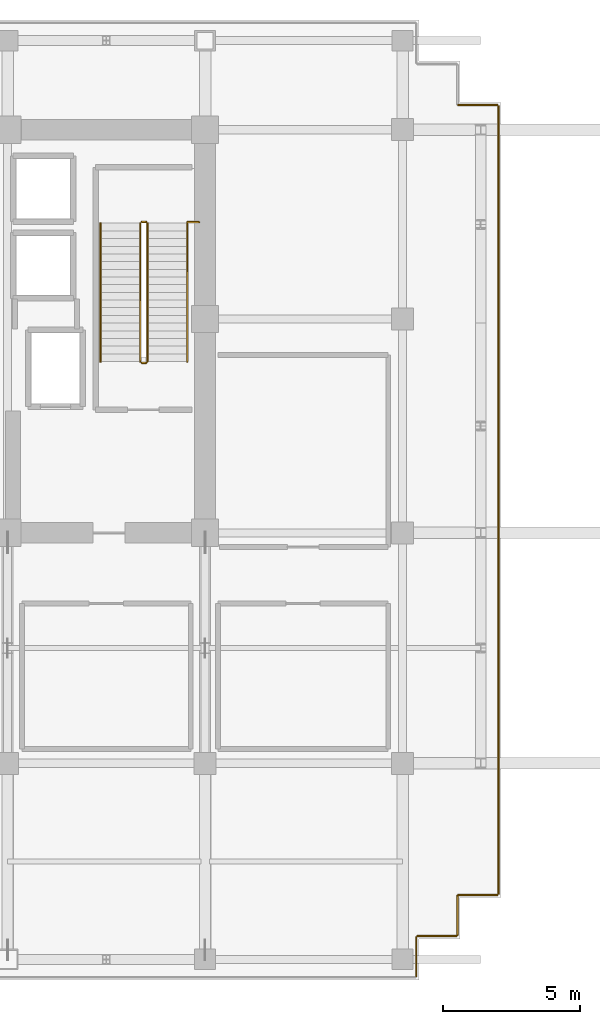
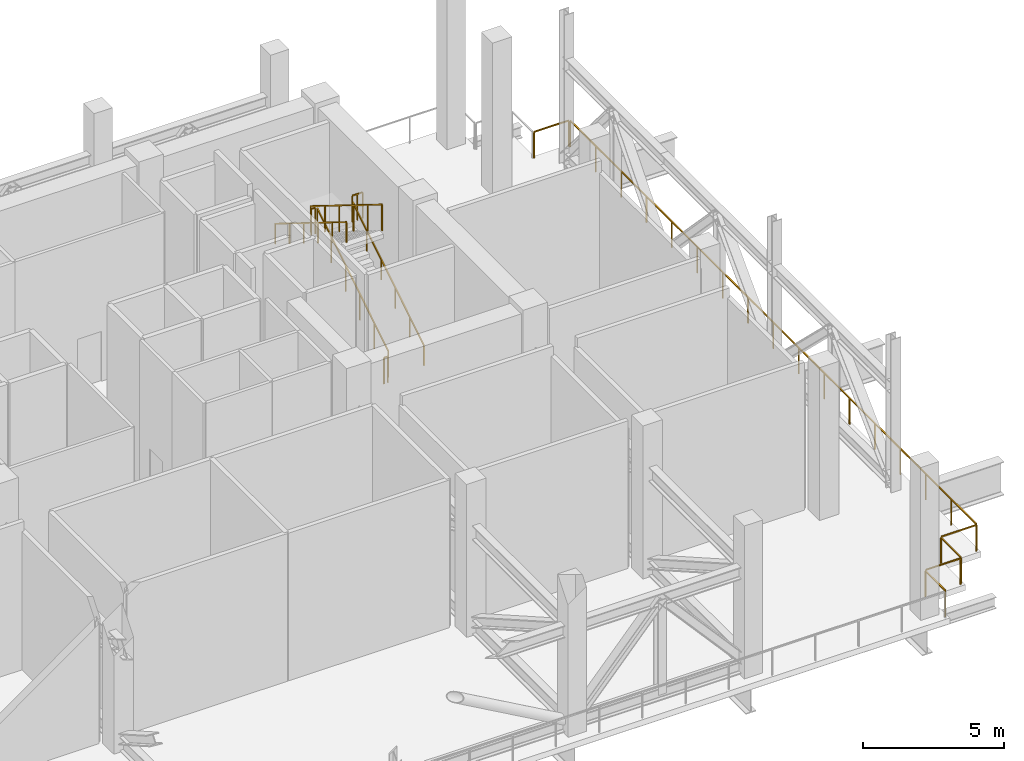
# One storey, part 11 of 13: 13 railings.
"""IFC4 building model written with IfcOpenShell, lengths in metres."""

from ifc_helpers import new_model, si_unit, direction, frame, origin, origin_2d, place, context, subcontext, project, spatial, rectangle, extrude, material, type_object, element, save


model = new_model("IFC4")

# Units and contexts
model_context = context("Model", 3, precision=1e-05, world=origin(), true_north=direction((0.0, 1.0)))
body_context = subcontext(model_context, "Body", "Model", "MODEL_VIEW")
ifc_project = project(units=[si_unit("LENGTHUNIT", "METRE"), si_unit("AREAUNIT", "SQUARE_METRE"), si_unit("VOLUMEUNIT", "CUBIC_METRE"), si_unit("PLANEANGLEUNIT", "RADIAN"), si_unit("MASSUNIT", "GRAM", prefix="KILO")], contexts=[model_context])

# Site, building, storey
site_placement = place(None, origin())
site = spatial("IfcSite", under=ifc_project, at=site_placement, CompositionType="ELEMENT")
building_placement = place(site_placement, origin())
building = spatial("IfcBuilding", under=site, at=building_placement, Name="Zarnakvel Exchange Tower", CompositionType="ELEMENT")
storey_placement = place(building_placement, frame((0.0, 0.0, 139.60009765625)))
storey = spatial("IfcBuildingStorey", under=building, at=storey_placement, Name="L39", CompositionType="ELEMENT", Elevation=139.60009765625)

# Railings
ifc_material_1 = material(Name="Architectural Bronze Anodised Aluminium", Category="aluminium")
railing_type_1 = type_object("IfcRailingType", Name="GR-01", PredefinedType="GUARDRAIL", material=ifc_material_1)
railing_1_placement = place(storey_placement, frame((23.639892578125, 14.39990234375, 0.0)))
element("IfcRailing", 1, at=railing_1_placement, inside=storey, type_object=railing_type_1, Name="L39 Perimeter Guardrail GR-L39-PERIM-10 (GR-01)", PredefinedType="GUARDRAIL", context=body_context, shape_type="SweptSolid", body=[
    extrude(rectangle(XDim=0.048095703125, YDim=0.048095703125, at=origin_2d()), frame((0.0, 0.0, 1.1259765625), z_axis=(1.0, 0.0, 0.0), x_axis=(0.0, 1.0, 0.0)), (0.0, 0.0, 1.0), 1.420166015625),
    extrude(rectangle(XDim=0.0419921875, YDim=0.0419921875, at=origin_2d()), origin(), (0.0, 0.0, 1.0), 1.101806640625),
    extrude(rectangle(XDim=0.0419921875, YDim=0.0419921875, at=origin_2d()), frame((1.420166015625, 0.0, 0.0)), (0.0, 0.0, 1.0), 1.101806640625),
])
railing_2_placement = place(storey_placement, frame((25.10009765625, 14.360107421875, 0.0)))
element("IfcRailing", 2, at=railing_2_placement, inside=storey, type_object=railing_type_1, Name="L39 Perimeter Guardrail GR-L39-PERIM-11 (GR-01)", PredefinedType="GUARDRAIL", context=body_context, shape_type="SweptSolid", body=[
    extrude(rectangle(XDim=0.048095703125, YDim=0.048095703125, at=origin_2d()), frame((0.0, 0.0, 1.1259765625), z_axis=(0.0, -1.0, 0.0), x_axis=(1.0, 0.0, 0.0)), (0.0, 0.0, 1.0), 28.72021484375),
    extrude(rectangle(XDim=0.0419921875, YDim=0.0419921875, at=origin_2d()), origin(), (0.0, 0.0, 1.0), 1.101806640625),
    extrude(rectangle(XDim=0.0419921875, YDim=0.0419921875, at=origin_2d()), frame((0.0, -1.794921875, 0.0)), (0.0, 0.0, 1.0), 1.101806640625),
    extrude(rectangle(XDim=0.0419921875, YDim=0.0419921875, at=origin_2d()), frame((0.0, -3.590087890625, 0.0)), (0.0, 0.0, 1.0), 1.101806640625),
    extrude(rectangle(XDim=0.0419921875, YDim=0.0419921875, at=origin_2d()), frame((0.0, -5.385009765625, 0.0)), (0.0, 0.0, 1.0), 1.101806640625),
    extrude(rectangle(XDim=0.0419921875, YDim=0.0419921875, at=origin_2d()), frame((0.0, -7.18017578125, 0.0)), (0.0, 0.0, 1.0), 1.101806640625),
    extrude(rectangle(XDim=0.0419921875, YDim=0.0419921875, at=origin_2d()), frame((0.0, -8.97509765625, 0.0)), (0.0, 0.0, 1.0), 1.101806640625),
    extrude(rectangle(XDim=0.0419921875, YDim=0.0419921875, at=origin_2d()), frame((0.0, -10.77001953125, 0.0)), (0.0, 0.0, 1.0), 1.101806640625),
    extrude(rectangle(XDim=0.0419921875, YDim=0.0419921875, at=origin_2d()), frame((0.0, -12.565185546875, 0.0)), (0.0, 0.0, 1.0), 1.101806640625),
    extrude(rectangle(XDim=0.0419921875, YDim=0.0419921875, at=origin_2d()), frame((0.0, -14.360107421875, 0.0)), (0.0, 0.0, 1.0), 1.101806640625),
    extrude(rectangle(XDim=0.0419921875, YDim=0.0419921875, at=origin_2d()), frame((0.0, -16.155029296875, 0.0)), (0.0, 0.0, 1.0), 1.101806640625),
    extrude(rectangle(XDim=0.0419921875, YDim=0.0419921875, at=origin_2d()), frame((0.0, -17.9501953125, 0.0)), (0.0, 0.0, 1.0), 1.101806640625),
    extrude(rectangle(XDim=0.0419921875, YDim=0.0419921875, at=origin_2d()), frame((0.0, -19.7451171875, 0.0)), (0.0, 0.0, 1.0), 1.101806640625),
    extrude(rectangle(XDim=0.0419921875, YDim=0.0419921875, at=origin_2d()), frame((0.0, -21.5400390625, 0.0)), (0.0, 0.0, 1.0), 1.101806640625),
    extrude(rectangle(XDim=0.0419921875, YDim=0.0419921875, at=origin_2d()), frame((0.0, -23.335205078125, 0.0)), (0.0, 0.0, 1.0), 1.101806640625),
    extrude(rectangle(XDim=0.0419921875, YDim=0.0419921875, at=origin_2d()), frame((0.0, -25.130126953125, 0.0)), (0.0, 0.0, 1.0), 1.101806640625),
    extrude(rectangle(XDim=0.0419921875, YDim=0.0419921875, at=origin_2d()), frame((0.0, -26.92529296875, 0.0)), (0.0, 0.0, 1.0), 1.101806640625),
    extrude(rectangle(XDim=0.0419921875, YDim=0.0419921875, at=origin_2d()), frame((0.0, -28.72021484375, 0.0)), (0.0, 0.0, 1.0), 1.101806640625),
])
railing_3_placement = place(storey_placement, frame((25.06005859375, -14.39990234375, 0.0)))
element("IfcRailing", 3, at=railing_3_placement, inside=storey, type_object=railing_type_1, Name="L39 Perimeter Guardrail GR-L39-PERIM-12 (GR-01)", PredefinedType="GUARDRAIL", context=body_context, shape_type="SweptSolid", body=[
    extrude(rectangle(XDim=0.048095703125, YDim=0.048095703125, at=origin_2d()), frame((0.0, 0.0, 1.1259765625), z_axis=(-1.0, 0.0, 0.0), x_axis=(0.0, -1.0, 0.0)), (0.0, 0.0, 1.0), 1.420166015625),
    extrude(rectangle(XDim=0.0419921875, YDim=0.0419921875, at=origin_2d()), origin(), (0.0, 0.0, 1.0), 1.101806640625),
    extrude(rectangle(XDim=0.0419921875, YDim=0.0419921875, at=origin_2d()), frame((-1.420166015625, 0.0, 0.0)), (0.0, 0.0, 1.0), 1.101806640625),
])
railing_4_placement = place(storey_placement, frame((23.60009765625, -14.43994140625, 0.0)))
element("IfcRailing", 4, at=railing_4_placement, inside=storey, type_object=railing_type_1, Name="L39 Perimeter Guardrail GR-L39-PERIM-13 (GR-01)", PredefinedType="GUARDRAIL", context=body_context, shape_type="SweptSolid", body=[
    extrude(rectangle(XDim=0.048095703125, YDim=0.048095703125, at=origin_2d()), frame((0.0, 0.0, 1.1259765625), z_axis=(0.0, -1.0, 0.0), x_axis=(1.0, 0.0, 0.0)), (0.0, 0.0, 1.0), 1.420166015625),
    extrude(rectangle(XDim=0.0419921875, YDim=0.0419921875, at=origin_2d()), origin(), (0.0, 0.0, 1.0), 1.101806640625),
    extrude(rectangle(XDim=0.0419921875, YDim=0.0419921875, at=origin_2d()), frame((0.0, -1.420166015625, 0.0)), (0.0, 0.0, 1.0), 1.101806640625),
])
railing_5_placement = place(storey_placement, frame((23.56005859375, -15.89990234375, 0.0)))
element("IfcRailing", 5, at=railing_5_placement, inside=storey, type_object=railing_type_1, Name="L39 Perimeter Guardrail GR-L39-PERIM-14 (GR-01)", PredefinedType="GUARDRAIL", context=body_context, shape_type="SweptSolid", body=[
    extrude(rectangle(XDim=0.048095703125, YDim=0.048095703125, at=origin_2d()), frame((0.0, 0.0, 1.1259765625), z_axis=(-1.0, 0.0, 0.0), x_axis=(0.0, -1.0, 0.0)), (0.0, 0.0, 1.0), 1.420166015625),
    extrude(rectangle(XDim=0.0419921875, YDim=0.0419921875, at=origin_2d()), origin(), (0.0, 0.0, 1.0), 1.101806640625),
    extrude(rectangle(XDim=0.0419921875, YDim=0.0419921875, at=origin_2d()), frame((-1.420166015625, 0.0, 0.0)), (0.0, 0.0, 1.0), 1.101806640625),
])
railing_6_placement = place(storey_placement, frame((22.10009765625, -15.93994140625, 0.0)))
element("IfcRailing", 6, at=railing_6_placement, inside=storey, type_object=railing_type_1, Name="L39 Perimeter Guardrail GR-L39-PERIM-15 (GR-01)", PredefinedType="GUARDRAIL", context=body_context, shape_type="SweptSolid", body=[
    extrude(rectangle(XDim=0.048095703125, YDim=0.048095703125, at=origin_2d()), frame((0.0, 0.0, 1.1259765625), z_axis=(0.0, -1.0, 0.0), x_axis=(1.0, 0.0, 0.0)), (0.0, 0.0, 1.0), 1.420166015625),
    extrude(rectangle(XDim=0.0419921875, YDim=0.0419921875, at=origin_2d()), origin(), (0.0, 0.0, 1.0), 1.101806640625),
    extrude(rectangle(XDim=0.0419921875, YDim=0.0419921875, at=origin_2d()), frame((0.0, -1.420166015625, 0.0)), (0.0, 0.0, 1.0), 1.101806640625),
])
ifc_material_2 = material(Name="Brushed Stainless Steel", Category="steel")
railing_type_2 = type_object("IfcRailingType", Name="HR-01", PredefinedType="HANDRAIL", material=ifc_material_2)
railing_7_placement = place(storey_placement, frame((13.75, 5.050048828125, 0.173583984375)))
element("IfcRailing", 7, at=railing_7_placement, inside=storey, type_object=railing_type_2, Name="L39 ST-02 stair handrail 1", PredefinedType="HANDRAIL", context=body_context, shape_type="SweptSolid", body=[
    extrude(rectangle(XDim=0.048095703125, YDim=0.048095703125, at=origin_2d()), frame((0.0, 0.0, 0.8759765625), z_axis=(0.0, 0.849797224451, 0.527109739348), x_axis=(-1.0, 0.0, 0.0)), (0.0, 0.0, 1.0), 5.930908203125),
    extrude(rectangle(XDim=0.0419921875, YDim=0.0419921875, at=origin_2d()), origin(), (0.0, 0.0, 1.0), 0.851806640625),
    extrude(rectangle(XDim=0.0419921875, YDim=0.0419921875, at=origin_2d()), frame((0.0, 1.008056640625, 0.625244140625)), (0.0, 0.0, 1.0), 0.851806640625),
    extrude(rectangle(XDim=0.0419921875, YDim=0.0419921875, at=origin_2d()), frame((0.0, 2.01611328125, 1.25048828125)), (0.0, 0.0, 1.0), 0.851806640625),
    extrude(rectangle(XDim=0.0419921875, YDim=0.0419921875, at=origin_2d()), frame((0.0, 3.02392578125, 1.875732421875)), (0.0, 0.0, 1.0), 0.851806640625),
    extrude(rectangle(XDim=0.0419921875, YDim=0.0419921875, at=origin_2d()), frame((0.0, 4.031982421875, 2.5009765625)), (0.0, 0.0, 1.0), 0.851806640625),
    extrude(rectangle(XDim=0.0419921875, YDim=0.0419921875, at=origin_2d()), frame((0.0, 5.0400390625, 3.126220703125)), (0.0, 0.0, 1.0), 0.851806640625),
])
railing_8_placement = place(storey_placement, frame((10.590087890625, 10.090087890625, 3.4736328125)))
element("IfcRailing", 8, at=railing_8_placement, inside=storey, type_object=railing_type_2, Name="L39 ST-02 stair handrail 2", PredefinedType="HANDRAIL", context=body_context, shape_type="SweptSolid", body=[
    extrude(rectangle(XDim=0.048095703125, YDim=0.048095703125, at=origin_2d()), frame((0.0, 0.0, 0.8759765625), z_axis=(0.0, -0.849797224451, 0.527109739348), x_axis=(1.0, 0.0, 0.0)), (0.0, 0.0, 1.0), 5.930908203125),
    extrude(rectangle(XDim=0.0419921875, YDim=0.0419921875, at=origin_2d()), origin(), (0.0, 0.0, 1.0), 0.851806640625),
    extrude(rectangle(XDim=0.0419921875, YDim=0.0419921875, at=origin_2d()), frame((0.0, -1.008056640625, 0.625244140625)), (0.0, 0.0, 1.0), 0.851806640625),
    extrude(rectangle(XDim=0.0419921875, YDim=0.0419921875, at=origin_2d()), frame((0.0, -2.01611328125, 1.25048828125)), (0.0, 0.0, 1.0), 0.851806640625),
    extrude(rectangle(XDim=0.0419921875, YDim=0.0419921875, at=origin_2d()), frame((0.0, -3.02392578125, 1.875732421875)), (0.0, 0.0, 1.0), 0.851806640625),
    extrude(rectangle(XDim=0.0419921875, YDim=0.0419921875, at=origin_2d()), frame((0.0, -4.031982421875, 2.5009765625)), (0.0, 0.0, 1.0), 0.851806640625),
    extrude(rectangle(XDim=0.0419921875, YDim=0.0419921875, at=origin_2d()), frame((0.0, -5.0400390625, 3.126220703125)), (0.0, 0.0, 1.0), 0.851806640625),
])
railing_type_3 = type_object("IfcRailingType", Name="SG-01", PredefinedType="GUARDRAIL", material=ifc_material_1)
railing_9_placement = place(storey_placement, frame((12.300048828125, 5.050048828125, 0.173583984375)))
element("IfcRailing", 9, at=railing_9_placement, inside=storey, type_object=railing_type_3, Name="L39 ST-02 stair guard 1", PredefinedType="GUARDRAIL", context=body_context, shape_type="SweptSolid", body=[
    extrude(rectangle(XDim=0.048095703125, YDim=0.048095703125, at=origin_2d()), frame((0.0, 0.0, 1.1259765625), z_axis=(0.0, 0.849797224451, 0.527109739348), x_axis=(-1.0, 0.0, 0.0)), (0.0, 0.0, 1.0), 5.930908203125),
    extrude(rectangle(XDim=0.0419921875, YDim=0.0419921875, at=origin_2d()), origin(), (0.0, 0.0, 1.0), 1.101806640625),
    extrude(rectangle(XDim=0.0419921875, YDim=0.0419921875, at=origin_2d()), frame((0.0, 1.008056640625, 0.625244140625)), (0.0, 0.0, 1.0), 1.101806640625),
    extrude(rectangle(XDim=0.0419921875, YDim=0.0419921875, at=origin_2d()), frame((0.0, 2.01611328125, 1.25048828125)), (0.0, 0.0, 1.0), 1.101806640625),
    extrude(rectangle(XDim=0.0419921875, YDim=0.0419921875, at=origin_2d()), frame((0.0, 3.02392578125, 1.875732421875)), (0.0, 0.0, 1.0), 1.101806640625),
    extrude(rectangle(XDim=0.0419921875, YDim=0.0419921875, at=origin_2d()), frame((0.0, 4.031982421875, 2.5009765625)), (0.0, 0.0, 1.0), 1.101806640625),
    extrude(rectangle(XDim=0.0419921875, YDim=0.0419921875, at=origin_2d()), frame((0.0, 5.0400390625, 3.126220703125)), (0.0, 0.0, 1.0), 1.101806640625),
])
railing_10_placement = place(storey_placement, frame((12.25, 10.139892578125, 3.2998046875)))
element("IfcRailing", 10, at=railing_10_placement, inside=storey, type_object=railing_type_3, Name="L39 ST-02 stair guard 2", PredefinedType="GUARDRAIL", context=body_context, shape_type="SweptSolid", body=[
    extrude(rectangle(XDim=0.048095703125, YDim=0.048095703125, at=origin_2d()), frame((0.0, 0.0, 1.1259765625), z_axis=(-1.0, 0.0, 0.0), x_axis=(0.0, -1.0, 0.0)), (0.0, 0.0, 1.0), 0.159912109375),
    extrude(rectangle(XDim=0.0419921875, YDim=0.0419921875, at=origin_2d()), origin(), (0.0, 0.0, 1.0), 1.101806640625),
    extrude(rectangle(XDim=0.0419921875, YDim=0.0419921875, at=origin_2d()), frame((-0.159912109375, 0.0, 0.0)), (0.0, 0.0, 1.0), 1.101806640625),
])
railing_11_placement = place(storey_placement, frame((12.0400390625, 10.090087890625, 3.4736328125)))
element("IfcRailing", 11, at=railing_11_placement, inside=storey, type_object=railing_type_3, Name="L39 ST-02 stair guard 3", PredefinedType="GUARDRAIL", context=body_context, shape_type="SweptSolid", body=[
    extrude(rectangle(XDim=0.048095703125, YDim=0.048095703125, at=origin_2d()), frame((0.0, 0.0, 1.1259765625), z_axis=(0.0, -0.849797224451, 0.527109739348), x_axis=(1.0, 0.0, 0.0)), (0.0, 0.0, 1.0), 5.930908203125),
    extrude(rectangle(XDim=0.0419921875, YDim=0.0419921875, at=origin_2d()), origin(), (0.0, 0.0, 1.0), 1.101806640625),
    extrude(rectangle(XDim=0.0419921875, YDim=0.0419921875, at=origin_2d()), frame((0.0, -1.008056640625, 0.625244140625)), (0.0, 0.0, 1.0), 1.101806640625),
    extrude(rectangle(XDim=0.0419921875, YDim=0.0419921875, at=origin_2d()), frame((0.0, -2.01611328125, 1.25048828125)), (0.0, 0.0, 1.0), 1.101806640625),
    extrude(rectangle(XDim=0.0419921875, YDim=0.0419921875, at=origin_2d()), frame((0.0, -3.02392578125, 1.875732421875)), (0.0, 0.0, 1.0), 1.101806640625),
    extrude(rectangle(XDim=0.0419921875, YDim=0.0419921875, at=origin_2d()), frame((0.0, -4.031982421875, 2.5009765625)), (0.0, 0.0, 1.0), 1.101806640625),
    extrude(rectangle(XDim=0.0419921875, YDim=0.0419921875, at=origin_2d()), frame((0.0, -5.0400390625, 3.126220703125)), (0.0, 0.0, 1.0), 1.101806640625),
])
railing_12_placement = place(storey_placement, frame((12.25, 5.0, 0.0)))
element("IfcRailing", 12, at=railing_12_placement, inside=storey, type_object=railing_type_3, Name="L39 ST-02 stair guard 4", PredefinedType="GUARDRAIL", context=body_context, shape_type="SweptSolid", body=[
    extrude(rectangle(XDim=0.048095703125, YDim=0.048095703125, at=origin_2d()), frame((0.0, 0.0, 1.1259765625), z_axis=(-1.0, 0.0, 0.0), x_axis=(0.0, -1.0, 0.0)), (0.0, 0.0, 1.0), 0.159912109375),
    extrude(rectangle(XDim=0.0419921875, YDim=0.0419921875, at=origin_2d()), origin(), (0.0, 0.0, 1.0), 1.101806640625),
    extrude(rectangle(XDim=0.0419921875, YDim=0.0419921875, at=origin_2d()), frame((-0.159912109375, 0.0, 0.0)), (0.0, 0.0, 1.0), 1.101806640625),
])
railing_13_placement = place(storey_placement, frame((13.75, 10.1298828125, 3.2998046875)))
element("IfcRailing", 13, at=railing_13_placement, inside=storey, type_object=railing_type_3, Name="L39 ST-02 Landing Slot Guardrail", PredefinedType="GUARDRAIL", context=body_context, shape_type="SweptSolid", body=[
    extrude(rectangle(XDim=0.048095703125, YDim=0.048095703125, at=origin_2d()), frame((0.0, 0.0, 1.1259765625), z_axis=(1.0, 0.0, 0.0), x_axis=(0.0, 1.0, 0.0)), (0.0, 0.0, 1.0), 0.429931640625),
    extrude(rectangle(XDim=0.0419921875, YDim=0.0419921875, at=origin_2d()), origin(), (0.0, 0.0, 1.0), 1.101806640625),
    extrude(rectangle(XDim=0.0419921875, YDim=0.0419921875, at=origin_2d()), frame((0.21484375, 0.0, 0.0)), (0.0, 0.0, 1.0), 1.101806640625),
    extrude(rectangle(XDim=0.0419921875, YDim=0.0419921875, at=origin_2d()), frame((0.429931640625, 0.0, 0.0)), (0.0, 0.0, 1.0), 1.101806640625),
])

save(model, "model.ifc")
